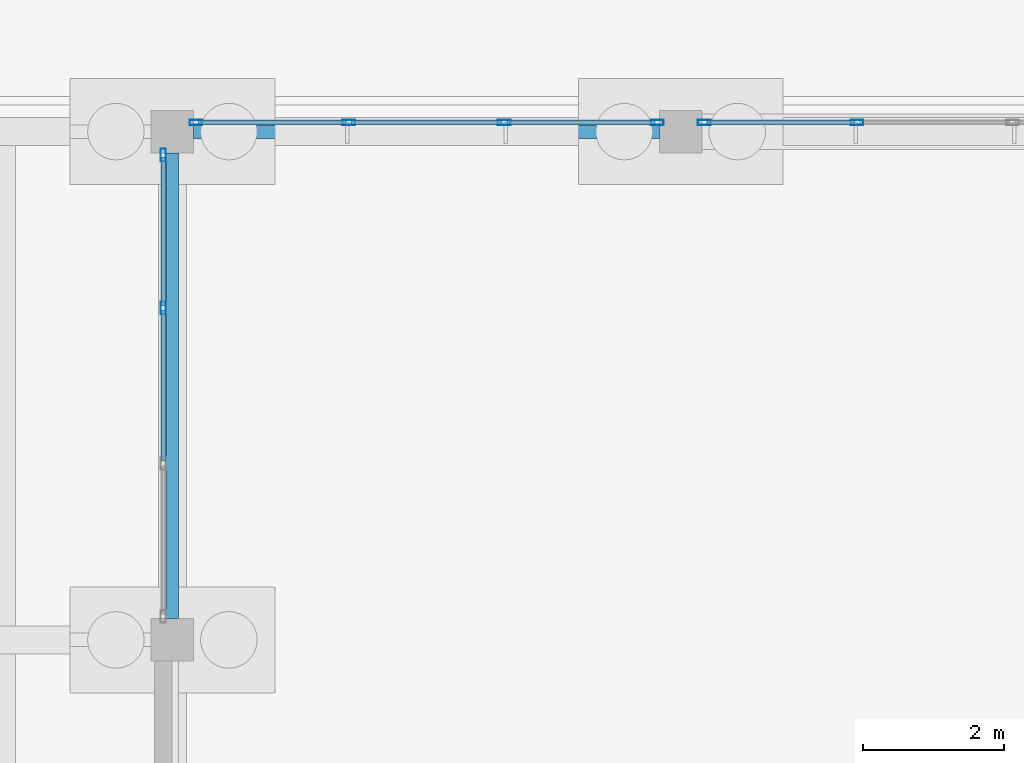
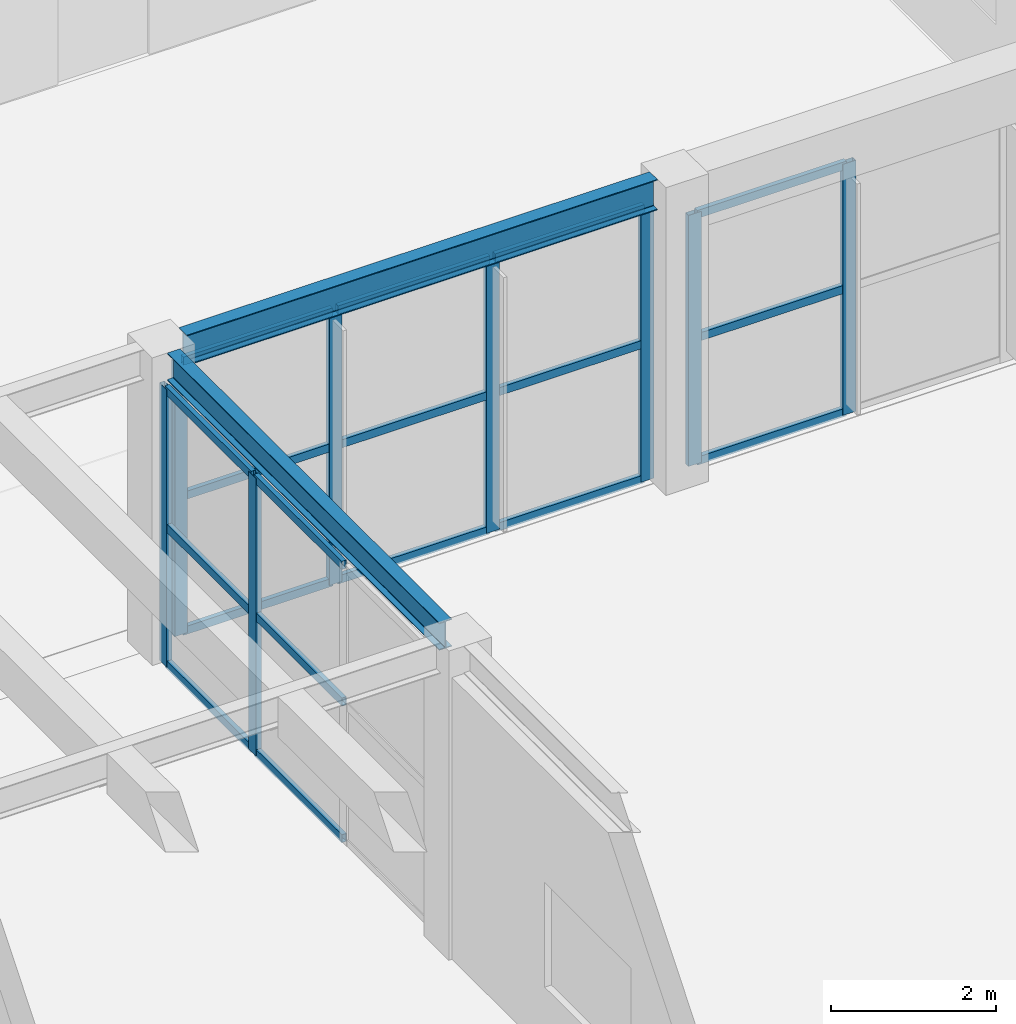
# One storey, part 39 of 155: 26 members, 2 beams, 3 elements without a shape of their own.
"""IFC4 building model written with IfcOpenShell, lengths in metres."""

from ifc_helpers import new_model, si_unit, direction, frame, origin, origin_2d, place, context, subcontext, project, spatial, hollow_rectangle, i_section, extrude, material, material_profile, profile_set, type_object, element, aggregate, save


model = new_model("IFC4")

# Units and contexts
model_context = context("Model", 3, precision=1e-05, world=origin(), true_north=direction((0.0, 1.0)))
body_context = subcontext(model_context, "Body", "Model", "MODEL_VIEW")
ifc_project = project(units=[si_unit("LENGTHUNIT", "METRE"), si_unit("AREAUNIT", "SQUARE_METRE"), si_unit("VOLUMEUNIT", "CUBIC_METRE"), si_unit("PLANEANGLEUNIT", "RADIAN"), si_unit("MASSUNIT", "GRAM", prefix="KILO")], contexts=[model_context])

# Site, building, storey
site_placement = place(None, origin())
site = spatial("IfcSite", under=ifc_project, at=site_placement, CompositionType="ELEMENT")
building_placement = place(site_placement, origin())
building = spatial("IfcBuilding", under=site, at=building_placement, Name="Bramvelor Terrace Health Centre", CompositionType="ELEMENT")
storey_placement = place(building_placement, origin())
storey = spatial("IfcBuildingStorey", under=building, at=storey_placement, Name="L01", CompositionType="ELEMENT", Elevation=0.0)

# Beams
ifc_material_1 = material(Name="Steel S355J2", Category="steel")
ifc_material_profile_1 = material_profile(ifc_material_1, i_section(OverallWidth=0.177978515625, OverallDepth=0.406494140625, WebThickness=0.0078125, FlangeThickness=0.0126953125, FilletRadius=0.01025390625, at=origin_2d()), Name="UB 406x178x60")
ifc_profile_set_1 = profile_set([ifc_material_profile_1], Name="Steel S355J2")
beam_type_1 = type_object("IfcBeamType", Name="BM-STL-UB406", PredefinedType="BEAM", material=ifc_profile_set_1)
beam_1_placement = place(storey_placement, frame((64.800048828125, 29.10009765625, 4.356689453125), z_axis=(0.0, 1.0, 0.0), x_axis=(-1.0, 0.0, 0.0)))
element("IfcBeam", 1, at=beam_1_placement, inside=storey, type_object=beam_type_1, Name="L01 Floor Girder", PredefinedType="BEAM", context=body_context, shape_type="SweptSolid", body=[
    extrude(i_section(OverallWidth=0.177978515625, OverallDepth=0.406494140625, WebThickness=0.0078125, FlangeThickness=0.0126953125, FilletRadius=0.01025390625, at=origin_2d()), origin(), (0.0, 0.0, 1.0), 6.599853515625),
])
ifc_material_2 = material(Name="Steel S355J2", Category="steel")
ifc_material_profile_2 = material_profile(ifc_material_2, i_section(OverallWidth=0.18994140625, OverallDepth=0.453369140625, WebThickness=0.008544921875, FlangeThickness=0.0126953125, FilletRadius=0.01025390625, at=origin_2d()), Name="UB 457x191x67")
ifc_profile_set_2 = profile_set([ifc_material_profile_2], Name="Steel S355J2")
beam_type_2 = type_object("IfcBeamType", Name="BM-STL-UB457", PredefinedType="BEAM", material=ifc_profile_set_2)
beam_2_placement = place(storey_placement, frame((65.10009765625, 36.0, 4.333251953125), z_axis=(1.0, 0.0, 0.0), x_axis=(0.0, 1.0, 0.0)))
element("IfcBeam", 2, at=beam_2_placement, inside=storey, type_object=beam_type_2, Name="L01 Floor Girder", PredefinedType="BEAM", context=body_context, shape_type="SweptSolid", body=[
    extrude(i_section(OverallWidth=0.18994140625, OverallDepth=0.453369140625, WebThickness=0.008544921875, FlangeThickness=0.0126953125, FilletRadius=0.01025390625, at=origin_2d()), origin(), (0.0, 0.0, 1.0), 6.599853515625),
])

# Curtain wall, members
ifc_material_3 = material(Name="Anodized aluminium and double low-E glass", Category="aluminium")
curtain_wall_type_1 = type_object("IfcCurtainWallType", Name="CW-SYS-02", PredefinedType="NOTDEFINED", material=ifc_material_3)
curtain_wall_1_placement = place(storey_placement, origin())
curtain_wall_1 = element("IfcCurtainWall", 3, at=curtain_wall_1_placement, inside=storey, type_object=curtain_wall_type_1, Name="L01 Unitized Curtain Wall 49", PredefinedType="NOTDEFINED")
ifc_material_4 = material(Name="Anodized aluminium 6063-T6", Category="aluminium")
ifc_material_profile_3 = material_profile(ifc_material_4, hollow_rectangle(XDim=0.074951171875, YDim=0.179931640625, WallThickness=0.00341796875, at=origin_2d()), Name="ALU-MUL 75x180x3.5")
ifc_profile_set_3 = profile_set([ifc_material_profile_3], Name="Anodized aluminium 6063-T6")
member_type_1 = type_object("IfcMemberType", Name="CW-MUL-65x180", PredefinedType="MULLION", material=ifc_profile_set_3)
member_1_placement = place(storey_placement, frame((74.498291015625, 36.1298828125, 0.0), z_axis=(0.0, 0.0, 1.0), x_axis=(0.0, -1.0, 0.0)))
member_1 = element("IfcMember", 4, at=member_1_placement, type_object=member_type_1, Name="CW-02 mullion 3", PredefinedType="MULLION", context=body_context, shape_type="SweptSolid", body=[
    extrude(hollow_rectangle(XDim=0.074951171875, YDim=0.179931640625, WallThickness=0.00341796875, at=origin_2d()), origin(), (0.0, 0.0, 1.0), 3.719970703125),
])
member_2_placement = place(storey_placement, frame((72.33251953125, 36.1298828125, 0.0), z_axis=(0.0, 0.0, 1.0), x_axis=(0.0, -1.0, 0.0)))
member_2 = element("IfcMember", 5, at=member_2_placement, type_object=member_type_1, Name="CW-02 mullion 4", PredefinedType="MULLION", context=body_context, shape_type="SweptSolid", body=[
    extrude(hollow_rectangle(XDim=0.074951171875, YDim=0.179931640625, WallThickness=0.00341796875, at=origin_2d()), origin(), (0.0, 0.0, 1.0), 3.719970703125),
])

ifc_material_5 = material(Name="Anodized aluminium and double low-E glass", Category="aluminium")
curtain_wall_type_2 = type_object("IfcCurtainWallType", Name="CW-SYS-07", PredefinedType="NOTDEFINED", material=ifc_material_5)
curtain_wall_2_placement = place(storey_placement, origin())
curtain_wall_2 = element("IfcCurtainWall", 6, at=curtain_wall_2_placement, inside=storey, type_object=curtain_wall_type_2, Name="L01 Unitized Curtain Wall 50", PredefinedType="NOTDEFINED")
member_3_placement = place(storey_placement, frame((71.66748046875, 36.1298828125, 0.0), z_axis=(0.0, 0.0, 1.0), x_axis=(0.0, -1.0, 0.0)))
member_3 = element("IfcMember", 7, at=member_3_placement, type_object=member_type_1, Name="CW-07 mullion 1", PredefinedType="MULLION", context=body_context, shape_type="SweptSolid", body=[
    extrude(hollow_rectangle(XDim=0.074951171875, YDim=0.179931640625, WallThickness=0.00341796875, at=origin_2d()), origin(), (0.0, 0.0, 1.0), 4.06689453125),
])
member_4_placement = place(storey_placement, frame((69.501708984375, 36.1298828125, 0.0), z_axis=(0.0, 0.0, 1.0), x_axis=(0.0, -1.0, 0.0)))
member_4 = element("IfcMember", 8, at=member_4_placement, type_object=member_type_1, Name="CW-07 mullion 2", PredefinedType="MULLION", context=body_context, shape_type="SweptSolid", body=[
    extrude(hollow_rectangle(XDim=0.074951171875, YDim=0.179931640625, WallThickness=0.00341796875, at=origin_2d()), origin(), (0.0, 0.0, 1.0), 4.06689453125),
])
member_5_placement = place(storey_placement, frame((67.29833984375, 36.1298828125, 0.0), z_axis=(0.0, 0.0, 1.0), x_axis=(0.0, -1.0, 0.0)))
member_5 = element("IfcMember", 9, at=member_5_placement, type_object=member_type_1, Name="CW-07 mullion 3", PredefinedType="MULLION", context=body_context, shape_type="SweptSolid", body=[
    extrude(hollow_rectangle(XDim=0.074951171875, YDim=0.179931640625, WallThickness=0.00341796875, at=origin_2d()), origin(), (0.0, 0.0, 1.0), 4.06689453125),
])
member_6_placement = place(storey_placement, frame((65.132568359375, 36.1298828125, 0.0), z_axis=(0.0, 0.0, 1.0), x_axis=(0.0, -1.0, 0.0)))
member_6 = element("IfcMember", 10, at=member_6_placement, type_object=member_type_1, Name="CW-07 mullion 4", PredefinedType="MULLION", context=body_context, shape_type="SweptSolid", body=[
    extrude(hollow_rectangle(XDim=0.074951171875, YDim=0.179931640625, WallThickness=0.00341796875, at=origin_2d()), origin(), (0.0, 0.0, 1.0), 4.06689453125),
])

curtain_wall_3_placement = place(storey_placement, origin())
curtain_wall_3 = element("IfcCurtainWall", 11, at=curtain_wall_3_placement, inside=storey, type_object=curtain_wall_type_2, Name="L01 Unitized Curtain Wall 51", PredefinedType="NOTDEFINED")
member_7_placement = place(storey_placement, frame((64.669921875, 35.66748046875, 0.0), z_axis=(0.0, 0.0, 1.0), x_axis=(1.0, 0.0, 0.0)))
member_7 = element("IfcMember", 12, at=member_7_placement, type_object=member_type_1, Name="CW-07 mullion 1", PredefinedType="MULLION", context=body_context, shape_type="SweptSolid", body=[
    extrude(hollow_rectangle(XDim=0.074951171875, YDim=0.179931640625, WallThickness=0.00341796875, at=origin_2d()), origin(), (0.0, 0.0, 1.0), 4.114013671875),
])
member_8_placement = place(storey_placement, frame((64.669921875, 33.501708984375, 0.0), z_axis=(0.0, 0.0, 1.0), x_axis=(1.0, 0.0, 0.0)))
member_8 = element("IfcMember", 13, at=member_8_placement, type_object=member_type_1, Name="CW-07 mullion 2", PredefinedType="MULLION", context=body_context, shape_type="SweptSolid", body=[
    extrude(hollow_rectangle(XDim=0.074951171875, YDim=0.179931640625, WallThickness=0.00341796875, at=origin_2d()), origin(), (0.0, 0.0, 1.0), 4.114013671875),
])

# Member
ifc_material_6 = material(Name="Anodized aluminium 6063-T6", Category="aluminium")
ifc_material_profile_4 = material_profile(ifc_material_6, hollow_rectangle(XDim=0.06494140625, YDim=0.1201171875, WallThickness=0.0029296875, at=origin_2d()), Name="ALU-TRN 65x120x3.0")
ifc_profile_set_4 = profile_set([ifc_material_profile_4], Name="Anodized aluminium 6063-T6")
member_type_2 = type_object("IfcMemberType", Name="CW-TRN-65x150", PredefinedType="USERDEFINED", material=ifc_profile_set_4)
member_9_placement = place(storey_placement, frame((74.4609375, 36.1298828125, 0.032470703125), z_axis=(-1.0, 0.0, 0.0), x_axis=(0.0, -1.0, 0.0)))
member_9 = element("IfcMember", 14, at=member_9_placement, type_object=member_type_2, Name="CW-02 transom 3.1", ObjectType="TRANSOM", PredefinedType="USERDEFINED", context=body_context, shape_type="SweptSolid", body=[
    extrude(hollow_rectangle(XDim=0.06494140625, YDim=0.1201171875, WallThickness=0.0029296875, at=origin_2d()), origin(), (0.0, 0.0, 1.0), 2.0908203125),
])

member_10_placement = place(storey_placement, frame((74.4609375, 36.1298828125, 1.860107421875), z_axis=(-1.0, 0.0, 0.0), x_axis=(0.0, -1.0, 0.0)))
member_10 = element("IfcMember", 15, at=member_10_placement, type_object=member_type_2, Name="CW-02 transom 3.2", ObjectType="TRANSOM", PredefinedType="USERDEFINED", context=body_context, shape_type="SweptSolid", body=[
    extrude(hollow_rectangle(XDim=0.06494140625, YDim=0.1201171875, WallThickness=0.0029296875, at=origin_2d()), origin(), (0.0, 0.0, 1.0), 2.0908203125),
])

member_11_placement = place(storey_placement, frame((74.4609375, 36.1298828125, 3.6875), z_axis=(-1.0, 0.0, 0.0), x_axis=(0.0, -1.0, 0.0)))
member_11 = element("IfcMember", 16, at=member_11_placement, type_object=member_type_2, Name="CW-02 transom 3.3", ObjectType="TRANSOM", PredefinedType="USERDEFINED", context=body_context, shape_type="SweptSolid", body=[
    extrude(hollow_rectangle(XDim=0.06494140625, YDim=0.1201171875, WallThickness=0.0029296875, at=origin_2d()), origin(), (0.0, 0.0, 1.0), 2.0908203125),
])

aggregate(curtain_wall_1, [member_1, member_2, member_9, member_10, member_11])

member_12_placement = place(storey_placement, frame((71.6298828125, 36.1298828125, 0.032470703125), z_axis=(-1.0, 0.0, 0.0), x_axis=(0.0, -1.0, 0.0)))
member_12 = element("IfcMember", 17, at=member_12_placement, type_object=member_type_2, Name="CW-07 transom 1.1", ObjectType="TRANSOM", PredefinedType="USERDEFINED", context=body_context, shape_type="SweptSolid", body=[
    extrude(hollow_rectangle(XDim=0.06494140625, YDim=0.1201171875, WallThickness=0.0029296875, at=origin_2d()), origin(), (0.0, 0.0, 1.0), 2.0908203125),
])

member_13_placement = place(storey_placement, frame((71.6298828125, 36.1298828125, 2.033447265625), z_axis=(-1.0, 0.0, 0.0), x_axis=(0.0, -1.0, 0.0)))
member_13 = element("IfcMember", 18, at=member_13_placement, type_object=member_type_2, Name="CW-07 transom 1.2", ObjectType="TRANSOM", PredefinedType="USERDEFINED", context=body_context, shape_type="SweptSolid", body=[
    extrude(hollow_rectangle(XDim=0.06494140625, YDim=0.1201171875, WallThickness=0.0029296875, at=origin_2d()), origin(), (0.0, 0.0, 1.0), 2.0908203125),
])

member_14_placement = place(storey_placement, frame((71.6298828125, 36.1298828125, 4.034423828125), z_axis=(-1.0, 0.0, 0.0), x_axis=(0.0, -1.0, 0.0)))
member_14 = element("IfcMember", 19, at=member_14_placement, type_object=member_type_2, Name="CW-07 transom 1.3", ObjectType="TRANSOM", PredefinedType="USERDEFINED", context=body_context, shape_type="SweptSolid", body=[
    extrude(hollow_rectangle(XDim=0.06494140625, YDim=0.1201171875, WallThickness=0.0029296875, at=origin_2d()), origin(), (0.0, 0.0, 1.0), 2.0908203125),
])

member_15_placement = place(storey_placement, frame((69.464111328125, 36.1298828125, 0.032470703125), z_axis=(-1.0, 0.0, 0.0), x_axis=(0.0, -1.0, 0.0)))
member_15 = element("IfcMember", 20, at=member_15_placement, type_object=member_type_2, Name="CW-07 transom 2.1", ObjectType="TRANSOM", PredefinedType="USERDEFINED", context=body_context, shape_type="SweptSolid", body=[
    extrude(hollow_rectangle(XDim=0.06494140625, YDim=0.1201171875, WallThickness=0.0029296875, at=origin_2d()), origin(), (0.0, 0.0, 1.0), 2.128173828125),
])

member_16_placement = place(storey_placement, frame((69.464111328125, 36.1298828125, 2.033447265625), z_axis=(-1.0, 0.0, 0.0), x_axis=(0.0, -1.0, 0.0)))
member_16 = element("IfcMember", 21, at=member_16_placement, type_object=member_type_2, Name="CW-07 transom 2.2", ObjectType="TRANSOM", PredefinedType="USERDEFINED", context=body_context, shape_type="SweptSolid", body=[
    extrude(hollow_rectangle(XDim=0.06494140625, YDim=0.1201171875, WallThickness=0.0029296875, at=origin_2d()), origin(), (0.0, 0.0, 1.0), 2.128173828125),
])

member_17_placement = place(storey_placement, frame((69.464111328125, 36.1298828125, 4.034423828125), z_axis=(-1.0, 0.0, 0.0), x_axis=(0.0, -1.0, 0.0)))
member_17 = element("IfcMember", 22, at=member_17_placement, type_object=member_type_2, Name="CW-07 transom 2.3", ObjectType="TRANSOM", PredefinedType="USERDEFINED", context=body_context, shape_type="SweptSolid", body=[
    extrude(hollow_rectangle(XDim=0.06494140625, YDim=0.1201171875, WallThickness=0.0029296875, at=origin_2d()), origin(), (0.0, 0.0, 1.0), 2.128173828125),
])

member_18_placement = place(storey_placement, frame((67.2607421875, 36.1298828125, 0.032470703125), z_axis=(-1.0, 0.0, 0.0), x_axis=(0.0, -1.0, 0.0)))
member_18 = element("IfcMember", 23, at=member_18_placement, type_object=member_type_2, Name="CW-07 transom 3.1", ObjectType="TRANSOM", PredefinedType="USERDEFINED", context=body_context, shape_type="SweptSolid", body=[
    extrude(hollow_rectangle(XDim=0.06494140625, YDim=0.1201171875, WallThickness=0.0029296875, at=origin_2d()), origin(), (0.0, 0.0, 1.0), 2.0908203125),
])

member_19_placement = place(storey_placement, frame((67.2607421875, 36.1298828125, 2.033447265625), z_axis=(-1.0, 0.0, 0.0), x_axis=(0.0, -1.0, 0.0)))
member_19 = element("IfcMember", 24, at=member_19_placement, type_object=member_type_2, Name="CW-07 transom 3.2", ObjectType="TRANSOM", PredefinedType="USERDEFINED", context=body_context, shape_type="SweptSolid", body=[
    extrude(hollow_rectangle(XDim=0.06494140625, YDim=0.1201171875, WallThickness=0.0029296875, at=origin_2d()), origin(), (0.0, 0.0, 1.0), 2.0908203125),
])

member_20_placement = place(storey_placement, frame((67.2607421875, 36.1298828125, 4.034423828125), z_axis=(-1.0, 0.0, 0.0), x_axis=(0.0, -1.0, 0.0)))
member_20 = element("IfcMember", 25, at=member_20_placement, type_object=member_type_2, Name="CW-07 transom 3.3", ObjectType="TRANSOM", PredefinedType="USERDEFINED", context=body_context, shape_type="SweptSolid", body=[
    extrude(hollow_rectangle(XDim=0.06494140625, YDim=0.1201171875, WallThickness=0.0029296875, at=origin_2d()), origin(), (0.0, 0.0, 1.0), 2.0908203125),
])

aggregate(curtain_wall_2, [member_3, member_4, member_5, member_6, member_12, member_13, member_14, member_15, member_16, member_17, member_18, member_19, member_20])

member_21_placement = place(storey_placement, frame((64.669921875, 35.6298828125, 0.032470703125), z_axis=(0.0, -1.0, 0.0), x_axis=(1.0, 0.0, 0.0)))
member_21 = element("IfcMember", 26, at=member_21_placement, type_object=member_type_2, Name="CW-07 transom 1.1", ObjectType="TRANSOM", PredefinedType="USERDEFINED", context=body_context, shape_type="SweptSolid", body=[
    extrude(hollow_rectangle(XDim=0.06494140625, YDim=0.1201171875, WallThickness=0.0029296875, at=origin_2d()), origin(), (0.0, 0.0, 1.0), 2.0908203125),
])

member_22_placement = place(storey_placement, frame((64.669921875, 35.6298828125, 2.056884765625), z_axis=(0.0, -1.0, 0.0), x_axis=(1.0, 0.0, 0.0)))
member_22 = element("IfcMember", 27, at=member_22_placement, type_object=member_type_2, Name="CW-07 transom 1.2", ObjectType="TRANSOM", PredefinedType="USERDEFINED", context=body_context, shape_type="SweptSolid", body=[
    extrude(hollow_rectangle(XDim=0.06494140625, YDim=0.1201171875, WallThickness=0.0029296875, at=origin_2d()), origin(), (0.0, 0.0, 1.0), 2.0908203125),
])

member_23_placement = place(storey_placement, frame((64.669921875, 35.6298828125, 4.08154296875), z_axis=(0.0, -1.0, 0.0), x_axis=(1.0, 0.0, 0.0)))
member_23 = element("IfcMember", 28, at=member_23_placement, type_object=member_type_2, Name="CW-07 transom 1.3", ObjectType="TRANSOM", PredefinedType="USERDEFINED", context=body_context, shape_type="SweptSolid", body=[
    extrude(hollow_rectangle(XDim=0.06494140625, YDim=0.1201171875, WallThickness=0.0029296875, at=origin_2d()), origin(), (0.0, 0.0, 1.0), 2.0908203125),
])

member_24_placement = place(storey_placement, frame((64.669921875, 33.464111328125, 0.032470703125), z_axis=(0.0, -1.0, 0.0), x_axis=(1.0, 0.0, 0.0)))
member_24 = element("IfcMember", 29, at=member_24_placement, type_object=member_type_2, Name="CW-07 transom 2.1", ObjectType="TRANSOM", PredefinedType="USERDEFINED", context=body_context, shape_type="SweptSolid", body=[
    extrude(hollow_rectangle(XDim=0.06494140625, YDim=0.1201171875, WallThickness=0.0029296875, at=origin_2d()), origin(), (0.0, 0.0, 1.0), 2.128173828125),
])

member_25_placement = place(storey_placement, frame((64.669921875, 33.464111328125, 2.056884765625), z_axis=(0.0, -1.0, 0.0), x_axis=(1.0, 0.0, 0.0)))
member_25 = element("IfcMember", 30, at=member_25_placement, type_object=member_type_2, Name="CW-07 transom 2.2", ObjectType="TRANSOM", PredefinedType="USERDEFINED", context=body_context, shape_type="SweptSolid", body=[
    extrude(hollow_rectangle(XDim=0.06494140625, YDim=0.1201171875, WallThickness=0.0029296875, at=origin_2d()), origin(), (0.0, 0.0, 1.0), 2.128173828125),
])

member_26_placement = place(storey_placement, frame((64.669921875, 33.464111328125, 4.08154296875), z_axis=(0.0, -1.0, 0.0), x_axis=(1.0, 0.0, 0.0)))
member_26 = element("IfcMember", 31, at=member_26_placement, type_object=member_type_2, Name="CW-07 transom 2.3", ObjectType="TRANSOM", PredefinedType="USERDEFINED", context=body_context, shape_type="SweptSolid", body=[
    extrude(hollow_rectangle(XDim=0.06494140625, YDim=0.1201171875, WallThickness=0.0029296875, at=origin_2d()), origin(), (0.0, 0.0, 1.0), 2.128173828125),
])

aggregate(curtain_wall_3, [member_7, member_8, member_21, member_22, member_23, member_24, member_25, member_26])

save(model, "model.ifc")
